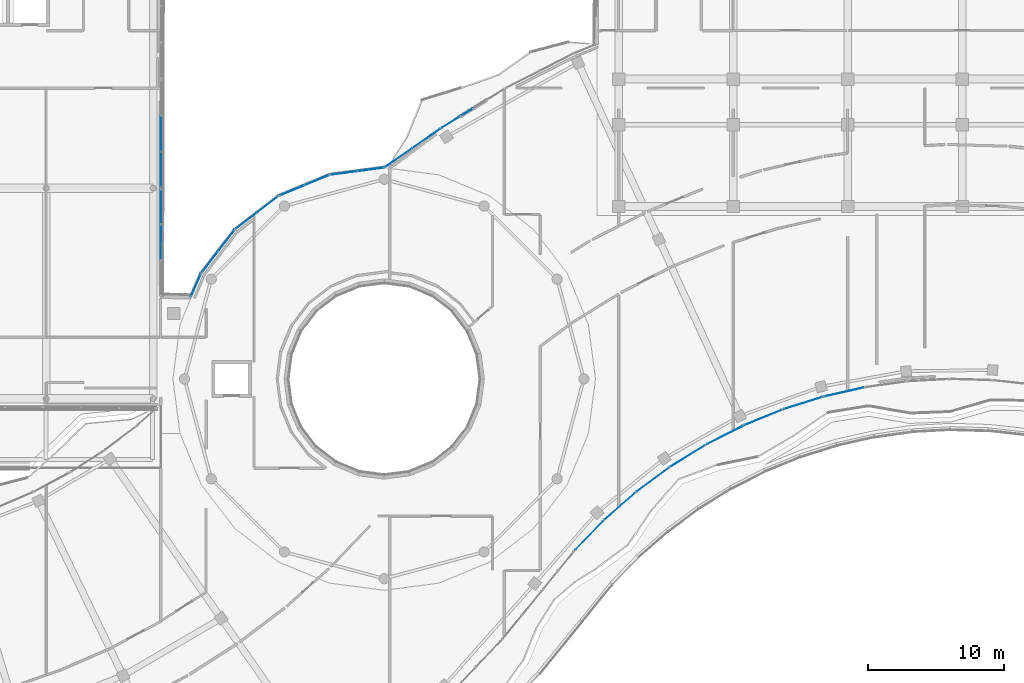
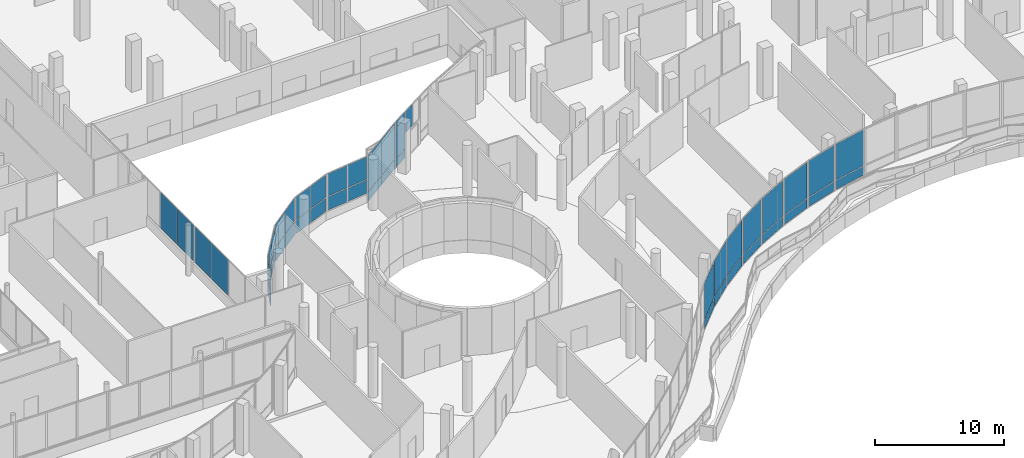
# One storey, part 130 of 168: 46 plates, 18 elements without a shape of their own.
"""IFC4 building model written with IfcOpenShell, lengths in metres."""

from ifc_helpers import new_model, si_unit, direction, frame, origin, origin_2d, place, context, subcontext, project, spatial, rectangle, extrude, material, layer, layer_set, type_object, element, aggregate, save


model = new_model("IFC4")

# Units and contexts
model_context = context("Model", 3, precision=1e-05, world=origin(), true_north=direction((0.0, 1.0)))
body_context = subcontext(model_context, "Body", "Model", "MODEL_VIEW")
ifc_project = project(units=[si_unit("LENGTHUNIT", "METRE"), si_unit("AREAUNIT", "SQUARE_METRE"), si_unit("VOLUMEUNIT", "CUBIC_METRE"), si_unit("PLANEANGLEUNIT", "RADIAN"), si_unit("MASSUNIT", "GRAM", prefix="KILO")], contexts=[model_context])

# Site, building, storey
site_placement = place(None, origin())
site = spatial("IfcSite", under=ifc_project, at=site_placement, CompositionType="ELEMENT")
building_placement = place(site_placement, origin())
building = spatial("IfcBuilding", under=site, at=building_placement, Name="Selatvlak General Hospital", CompositionType="ELEMENT")
storey_placement = place(building_placement, frame((0.0, 0.0, 5.39990234375)))
storey = spatial("IfcBuildingStorey", under=building, at=storey_placement, Name="L01", CompositionType="ELEMENT", Elevation=5.39990234375)

# Curtain wall, plates
ifc_material = material(Name="Solar-control Low-E double glazing", Category="glass")
curtain_wall_type_1 = type_object("IfcCurtainWallType", Name="CW-CW-01", PredefinedType="USERDEFINED", material=ifc_material)
curtain_wall_1_placement = place(storey_placement, origin())
curtain_wall_1 = element("IfcCurtainWall", 1, at=curtain_wall_1_placement, inside=storey, type_object=curtain_wall_type_1, Name="Glazed facade curtain wall CW-L01-0155", ObjectType="UNITISED CURTAIN WALL", PredefinedType="USERDEFINED")
ifc_layer = layer(ifc_material, 0.028076171875, Name="Solar-control Low-E double glazing", Category="glass")
ifc_layer_set = layer_set([ifc_layer], Name="Solar-control Low-E double glazing")
plate_type = type_object("IfcPlateType", Name="CWP-01", PredefinedType="CURTAIN_PANEL", material=ifc_layer_set)
plate_1_placement = place(storey_placement, frame((131.739990234375, 53.0458984375, 0.065185546875), z_axis=(0.0, 0.0, 1.0), x_axis=(-0.975577961684, -0.219653455874, 0.0)))
plate_1 = element("IfcPlate", 2, at=plate_1_placement, type_object=plate_type, Name="CW-01 panel 1.1", PredefinedType="CURTAIN_PANEL", context=body_context, shape_type="SweptSolid", body=[
    extrude(rectangle(XDim=2.902099609375, YDim=0.028076171875, at=origin_2d()), origin(), (0.0, 0.0, 1.0), 0.8525390625),
])
plate_2_placement = place(storey_placement, frame((131.739990234375, 53.0458984375, 0.982666015625), z_axis=(0.0, 0.0, 1.0), x_axis=(-0.975577961684, -0.219653455874, 0.0)))
plate_2 = element("IfcPlate", 3, at=plate_2_placement, type_object=plate_type, Name="CW-01 panel 1.2", PredefinedType="CURTAIN_PANEL", context=body_context, shape_type="SweptSolid", body=[
    extrude(rectangle(XDim=2.902099609375, YDim=0.028076171875, at=origin_2d()), origin(), (0.0, 0.0, 1.0), 3.3974609375),
])
aggregate(curtain_wall_1, [plate_1, plate_2])

curtain_wall_type_2 = type_object("IfcCurtainWallType", Name="CW-CW-02", PredefinedType="USERDEFINED", material=ifc_material)
curtain_wall_2_placement = place(storey_placement, origin())
curtain_wall_2 = element("IfcCurtainWall", 4, at=curtain_wall_2_placement, inside=storey, type_object=curtain_wall_type_2, Name="Glazed facade curtain wall CW-L01-0156", ObjectType="UNITISED CURTAIN WALL", PredefinedType="USERDEFINED")
plate_3_placement = place(storey_placement, frame((128.738525390625, 52.236083984375, 0.065185546875), z_axis=(0.0, 0.0, 1.0), x_axis=(-0.953861500511, -0.300246961422, 0.0)))
plate_3 = element("IfcPlate", 5, at=plate_3_placement, type_object=plate_type, Name="CW-02 panel 1.1", PredefinedType="CURTAIN_PANEL", context=body_context, shape_type="SweptSolid", body=[
    extrude(rectangle(XDim=2.90087890625, YDim=0.028076171875, at=origin_2d()), origin(), (0.0, 0.0, 1.0), 0.8525390625),
])
plate_4_placement = place(storey_placement, frame((128.738525390625, 52.236083984375, 0.982666015625), z_axis=(0.0, 0.0, 1.0), x_axis=(-0.953861500511, -0.300246961422, 0.0)))
plate_4 = element("IfcPlate", 6, at=plate_4_placement, type_object=plate_type, Name="CW-02 panel 1.2", PredefinedType="CURTAIN_PANEL", context=body_context, shape_type="SweptSolid", body=[
    extrude(rectangle(XDim=2.90087890625, YDim=0.028076171875, at=origin_2d()), origin(), (0.0, 0.0, 1.0), 3.3974609375),
])
aggregate(curtain_wall_2, [plate_3, plate_4])

curtain_wall_3_placement = place(storey_placement, origin())
curtain_wall_3 = element("IfcCurtainWall", 7, at=curtain_wall_3_placement, inside=storey, type_object=curtain_wall_type_1, Name="Glazed facade curtain wall CW-L01-0157", ObjectType="UNITISED CURTAIN WALL", PredefinedType="USERDEFINED")
plate_5_placement = place(storey_placement, frame((125.8154296875, 51.178955078125, 0.065185546875), z_axis=(0.0, 0.0, 1.0), x_axis=(-0.925814669594, -0.377977773903, 0.0)))
plate_5 = element("IfcPlate", 8, at=plate_5_placement, type_object=plate_type, Name="CW-01 panel 1.1", PredefinedType="CURTAIN_PANEL", context=body_context, shape_type="SweptSolid", body=[
    extrude(rectangle(XDim=2.90185546875, YDim=0.028076171875, at=origin_2d()), origin(), (0.0, 0.0, 1.0), 0.8525390625),
])
plate_6_placement = place(storey_placement, frame((125.8154296875, 51.178955078125, 0.982666015625), z_axis=(0.0, 0.0, 1.0), x_axis=(-0.925814669594, -0.377977773903, 0.0)))
plate_6 = element("IfcPlate", 9, at=plate_6_placement, type_object=plate_type, Name="CW-01 panel 1.2", PredefinedType="CURTAIN_PANEL", context=body_context, shape_type="SweptSolid", body=[
    extrude(rectangle(XDim=2.90185546875, YDim=0.028076171875, at=origin_2d()), origin(), (0.0, 0.0, 1.0), 3.3974609375),
])
aggregate(curtain_wall_3, [plate_5, plate_6])

curtain_wall_4_placement = place(storey_placement, origin())
curtain_wall_4 = element("IfcCurtainWall", 10, at=curtain_wall_4_placement, inside=storey, type_object=curtain_wall_type_2, Name="Glazed facade curtain wall CW-L01-0158", ObjectType="UNITISED CURTAIN WALL", PredefinedType="USERDEFINED")
plate_7_placement = place(storey_placement, frame((122.987548828125, 49.882568359375, 0.065185546875), z_axis=(0.0, 0.0, 1.0), x_axis=(-0.89144154077, -0.453135718509, 0.0)))
plate_7 = element("IfcPlate", 11, at=plate_7_placement, type_object=plate_type, Name="CW-02 panel 1.1", PredefinedType="CURTAIN_PANEL", context=body_context, shape_type="SweptSolid", body=[
    extrude(rectangle(XDim=2.904296875, YDim=0.028076171875, at=origin_2d()), origin(), (0.0, 0.0, 1.0), 0.8525390625),
])
plate_8_placement = place(storey_placement, frame((122.987548828125, 49.882568359375, 0.982666015625), z_axis=(0.0, 0.0, 1.0), x_axis=(-0.89144154077, -0.453135718509, 0.0)))
plate_8 = element("IfcPlate", 12, at=plate_8_placement, type_object=plate_type, Name="CW-02 panel 1.2", PredefinedType="CURTAIN_PANEL", context=body_context, shape_type="SweptSolid", body=[
    extrude(rectangle(XDim=2.904296875, YDim=0.028076171875, at=origin_2d()), origin(), (0.0, 0.0, 1.0), 3.3974609375),
])
aggregate(curtain_wall_4, [plate_7, plate_8])

curtain_wall_5_placement = place(storey_placement, origin())
curtain_wall_5 = element("IfcCurtainWall", 13, at=curtain_wall_5_placement, inside=storey, type_object=curtain_wall_type_1, Name="Glazed facade curtain wall CW-L01-0159", ObjectType="UNITISED CURTAIN WALL", PredefinedType="USERDEFINED")
plate_9_placement = place(storey_placement, frame((120.277587890625, 48.35693359375, 0.065185546875), z_axis=(0.0, 0.0, 1.0), x_axis=(-0.850454986641, -0.526047826435, 0.0)))
plate_9 = element("IfcPlate", 14, at=plate_9_placement, type_object=plate_type, Name="CW-01 panel 1.1", PredefinedType="CURTAIN_PANEL", context=body_context, shape_type="SweptSolid", body=[
    extrude(rectangle(XDim=2.900146484375, YDim=0.028076171875, at=origin_2d()), origin(), (0.0, 0.0, 1.0), 0.8525390625),
])
plate_10_placement = place(storey_placement, frame((120.277587890625, 48.35693359375, 0.982666015625), z_axis=(0.0, 0.0, 1.0), x_axis=(-0.850454986641, -0.526047826435, 0.0)))
plate_10 = element("IfcPlate", 15, at=plate_10_placement, type_object=plate_type, Name="CW-01 panel 1.2", PredefinedType="CURTAIN_PANEL", context=body_context, shape_type="SweptSolid", body=[
    extrude(rectangle(XDim=2.900146484375, YDim=0.028076171875, at=origin_2d()), origin(), (0.0, 0.0, 1.0), 3.3974609375),
])
aggregate(curtain_wall_5, [plate_9, plate_10])

curtain_wall_6_placement = place(storey_placement, origin())
curtain_wall_6 = element("IfcCurtainWall", 16, at=curtain_wall_6_placement, inside=storey, type_object=curtain_wall_type_2, Name="Glazed facade curtain wall CW-L01-0160", ObjectType="UNITISED CURTAIN WALL", PredefinedType="USERDEFINED")
plate_11_placement = place(storey_placement, frame((117.705078125, 46.611572265625, 0.065185546875), z_axis=(0.0, 0.0, 1.0), x_axis=(-0.804018477045, -0.594604312607, 0.0)))
plate_11 = element("IfcPlate", 17, at=plate_11_placement, type_object=plate_type, Name="CW-02 panel 1.1", PredefinedType="CURTAIN_PANEL", context=body_context, shape_type="SweptSolid", body=[
    extrude(rectangle(XDim=2.90234375, YDim=0.028076171875, at=origin_2d()), origin(), (0.0, 0.0, 1.0), 0.8525390625),
])
plate_12_placement = place(storey_placement, frame((117.705078125, 46.611572265625, 0.982666015625), z_axis=(0.0, 0.0, 1.0), x_axis=(-0.804018477045, -0.594604312607, 0.0)))
plate_12 = element("IfcPlate", 18, at=plate_12_placement, type_object=plate_type, Name="CW-02 panel 1.2", PredefinedType="CURTAIN_PANEL", context=body_context, shape_type="SweptSolid", body=[
    extrude(rectangle(XDim=2.90234375, YDim=0.028076171875, at=origin_2d()), origin(), (0.0, 0.0, 1.0), 3.3974609375),
])
aggregate(curtain_wall_6, [plate_11, plate_12])

curtain_wall_7_placement = place(storey_placement, origin())
curtain_wall_7 = element("IfcCurtainWall", 19, at=curtain_wall_7_placement, inside=storey, type_object=curtain_wall_type_1, Name="Glazed facade curtain wall CW-L01-0161", ObjectType="UNITISED CURTAIN WALL", PredefinedType="USERDEFINED")
plate_13_placement = place(storey_placement, frame((115.284912109375, 44.659423828125, 0.065185546875), z_axis=(0.0, 0.0, 1.0), x_axis=(-0.752249587647, -0.658878257256, 0.0)))
plate_13 = element("IfcPlate", 20, at=plate_13_placement, type_object=plate_type, Name="CW-01 panel 1.1", PredefinedType="CURTAIN_PANEL", context=body_context, shape_type="SweptSolid", body=[
    extrude(rectangle(XDim=2.90087890625, YDim=0.028076171875, at=origin_2d()), origin(), (0.0, 0.0, 1.0), 0.8525390625),
])
plate_14_placement = place(storey_placement, frame((115.284912109375, 44.659423828125, 0.982666015625), z_axis=(0.0, 0.0, 1.0), x_axis=(-0.752249587647, -0.658878257256, 0.0)))
plate_14 = element("IfcPlate", 21, at=plate_14_placement, type_object=plate_type, Name="CW-01 panel 1.2", PredefinedType="CURTAIN_PANEL", context=body_context, shape_type="SweptSolid", body=[
    extrude(rectangle(XDim=2.90087890625, YDim=0.028076171875, at=origin_2d()), origin(), (0.0, 0.0, 1.0), 3.3974609375),
])
aggregate(curtain_wall_7, [plate_13, plate_14])

curtain_wall_8_placement = place(storey_placement, origin())
curtain_wall_8 = element("IfcCurtainWall", 22, at=curtain_wall_8_placement, inside=storey, type_object=curtain_wall_type_2, Name="Glazed facade curtain wall CW-L01-0162", ObjectType="UNITISED CURTAIN WALL", PredefinedType="USERDEFINED")
plate_15_placement = place(storey_placement, frame((113.034912109375, 42.512939453125, 0.065185546875), z_axis=(0.0, 0.0, 1.0), x_axis=(-0.694806241805, -0.719196973261, 0.0)))
plate_15 = element("IfcPlate", 23, at=plate_15_placement, type_object=plate_type, Name="CW-02 panel 1.1", PredefinedType="CURTAIN_PANEL", context=body_context, shape_type="SweptSolid", body=[
    extrude(rectangle(XDim=2.904052734375, YDim=0.028076171875, at=origin_2d()), origin(), (0.0, 0.0, 1.0), 0.8525390625),
])
plate_16_placement = place(storey_placement, frame((113.034912109375, 42.512939453125, 0.982666015625), z_axis=(0.0, 0.0, 1.0), x_axis=(-0.694806241805, -0.719196973261, 0.0)))
plate_16 = element("IfcPlate", 24, at=plate_16_placement, type_object=plate_type, Name="CW-02 panel 1.2", PredefinedType="CURTAIN_PANEL", context=body_context, shape_type="SweptSolid", body=[
    extrude(rectangle(XDim=2.904052734375, YDim=0.028076171875, at=origin_2d()), origin(), (0.0, 0.0, 1.0), 3.3974609375),
])
aggregate(curtain_wall_8, [plate_15, plate_16])

curtain_wall_type_3 = type_object("IfcCurtainWallType", Name="CW-CW-04", PredefinedType="USERDEFINED", material=ifc_material)
curtain_wall_9_placement = place(storey_placement, origin())
curtain_wall_9 = element("IfcCurtainWall", 25, at=curtain_wall_9_placement, inside=storey, type_object=curtain_wall_type_3, Name="Glazed facade curtain wall CW-L01-0215", ObjectType="STICK GLAZING WALL", PredefinedType="USERDEFINED")
plate_17_placement = place(storey_placement, frame((84.194091796875, 60.87451171875, 0.9150390625), z_axis=(0.0, 0.0, 1.0), x_axis=(0.400399817754, 0.916340540379, 0.0)))
plate_17 = element("IfcPlate", 26, at=plate_17_placement, type_object=plate_type, Name="CW-04 panel 1.1", PredefinedType="CURTAIN_PANEL", context=body_context, shape_type="SweptSolid", body=[
    extrude(rectangle(XDim=1.748046875, YDim=0.028076171875, at=origin_2d()), origin(), (0.0, 0.0, 1.0), 1.275390625),
])
plate_18_placement = place(storey_placement, frame((84.194091796875, 60.87451171875, 2.255615234375), z_axis=(0.0, 0.0, 1.0), x_axis=(0.400399817754, 0.916340540379, 0.0)))
plate_18 = element("IfcPlate", 27, at=plate_18_placement, type_object=plate_type, Name="CW-04 panel 1.2", PredefinedType="CURTAIN_PANEL", context=body_context, shape_type="SweptSolid", body=[
    extrude(rectangle(XDim=1.748046875, YDim=0.028076171875, at=origin_2d()), origin(), (0.0, 0.0, 1.0), 2.12451171875),
])
aggregate(curtain_wall_9, [plate_17, plate_18])

curtain_wall_type_4 = type_object("IfcCurtainWallType", Name="CW-CW-05", PredefinedType="USERDEFINED", material=ifc_material)
curtain_wall_10_placement = place(storey_placement, origin())
curtain_wall_10 = element("IfcCurtainWall", 28, at=curtain_wall_10_placement, inside=storey, type_object=curtain_wall_type_4, Name="Glazed facade curtain wall CW-L01-0216", ObjectType="STICK GLAZING WALL", PredefinedType="USERDEFINED")
plate_19_placement = place(storey_placement, frame((85.228759765625, 62.600341796875, 0.9150390625), z_axis=(0.0, 0.0, 1.0), x_axis=(0.608918417743, 0.793232853917, 0.0)))
plate_19 = element("IfcPlate", 29, at=plate_19_placement, type_object=plate_type, Name="CW-05 panel 1.1", PredefinedType="CURTAIN_PANEL", context=body_context, shape_type="SweptSolid", body=[
    extrude(rectangle(XDim=1.885498046875, YDim=0.028076171875, at=origin_2d()), origin(), (0.0, 0.0, 1.0), 1.275390625),
])
plate_20_placement = place(storey_placement, frame((85.228759765625, 62.600341796875, 2.255615234375), z_axis=(0.0, 0.0, 1.0), x_axis=(0.608918417743, 0.793232853917, 0.0)))
plate_20 = element("IfcPlate", 30, at=plate_20_placement, type_object=plate_type, Name="CW-05 panel 1.2", PredefinedType="CURTAIN_PANEL", context=body_context, shape_type="SweptSolid", body=[
    extrude(rectangle(XDim=1.885498046875, YDim=0.028076171875, at=origin_2d()), origin(), (0.0, 0.0, 1.0), 2.12451171875),
])
plate_21_placement = place(storey_placement, frame((86.416259765625, 64.147705078125, 0.9150390625), z_axis=(0.0, 0.0, 1.0), x_axis=(0.608918417743, 0.793232853917, 0.0)))
plate_21 = element("IfcPlate", 31, at=plate_21_placement, type_object=plate_type, Name="CW-05 panel 2.1", PredefinedType="CURTAIN_PANEL", context=body_context, shape_type="SweptSolid", body=[
    extrude(rectangle(XDim=1.885498046875, YDim=0.028076171875, at=origin_2d()), origin(), (0.0, 0.0, 1.0), 1.275390625),
])
plate_22_placement = place(storey_placement, frame((86.416259765625, 64.147705078125, 2.255615234375), z_axis=(0.0, 0.0, 1.0), x_axis=(0.608918417743, 0.793232853917, 0.0)))
plate_22 = element("IfcPlate", 32, at=plate_22_placement, type_object=plate_type, Name="CW-05 panel 2.2", PredefinedType="CURTAIN_PANEL", context=body_context, shape_type="SweptSolid", body=[
    extrude(rectangle(XDim=1.885498046875, YDim=0.028076171875, at=origin_2d()), origin(), (0.0, 0.0, 1.0), 2.12451171875),
])
aggregate(curtain_wall_10, [plate_19, plate_20, plate_21, plate_22])

curtain_wall_11_placement = place(storey_placement, origin())
curtain_wall_11 = element("IfcCurtainWall", 33, at=curtain_wall_11_placement, inside=storey, type_object=curtain_wall_type_3, Name="Glazed facade curtain wall CW-L01-0217", ObjectType="STICK GLAZING WALL", PredefinedType="USERDEFINED")
plate_23_placement = place(storey_placement, frame((87.890380859375, 65.611572265625, 0.9150390625), z_axis=(0.0, 0.0, 1.0), x_axis=(0.793232853917, 0.608918417743, 0.0)))
plate_23 = element("IfcPlate", 34, at=plate_23_placement, type_object=plate_type, Name="CW-04 panel 1.1", PredefinedType="CURTAIN_PANEL", context=body_context, shape_type="SweptSolid", body=[
    extrude(rectangle(XDim=1.885498046875, YDim=0.028076171875, at=origin_2d()), origin(), (0.0, 0.0, 1.0), 1.275390625),
])
plate_24_placement = place(storey_placement, frame((87.890380859375, 65.611572265625, 2.255615234375), z_axis=(0.0, 0.0, 1.0), x_axis=(0.793232853917, 0.608918417743, 0.0)))
plate_24 = element("IfcPlate", 35, at=plate_24_placement, type_object=plate_type, Name="CW-04 panel 1.2", PredefinedType="CURTAIN_PANEL", context=body_context, shape_type="SweptSolid", body=[
    extrude(rectangle(XDim=1.885498046875, YDim=0.028076171875, at=origin_2d()), origin(), (0.0, 0.0, 1.0), 2.12451171875),
])
plate_25_placement = place(storey_placement, frame((89.4375, 66.79931640625, 0.9150390625), z_axis=(0.0, 0.0, 1.0), x_axis=(0.793232853917, 0.608918417743, 0.0)))
plate_25 = element("IfcPlate", 36, at=plate_25_placement, type_object=plate_type, Name="CW-04 panel 2.1", PredefinedType="CURTAIN_PANEL", context=body_context, shape_type="SweptSolid", body=[
    extrude(rectangle(XDim=1.885498046875, YDim=0.028076171875, at=origin_2d()), origin(), (0.0, 0.0, 1.0), 1.275390625),
])
plate_26_placement = place(storey_placement, frame((89.4375, 66.79931640625, 2.255615234375), z_axis=(0.0, 0.0, 1.0), x_axis=(0.793232853917, 0.608918417743, 0.0)))
plate_26 = element("IfcPlate", 37, at=plate_26_placement, type_object=plate_type, Name="CW-04 panel 2.2", PredefinedType="CURTAIN_PANEL", context=body_context, shape_type="SweptSolid", body=[
    extrude(rectangle(XDim=1.885498046875, YDim=0.028076171875, at=origin_2d()), origin(), (0.0, 0.0, 1.0), 2.12451171875),
])
aggregate(curtain_wall_11, [plate_23, plate_24, plate_25, plate_26])

curtain_wall_12_placement = place(storey_placement, origin())
curtain_wall_12 = element("IfcCurtainWall", 38, at=curtain_wall_12_placement, inside=storey, type_object=curtain_wall_type_4, Name="Glazed facade curtain wall CW-L01-0218", ObjectType="STICK GLAZING WALL", PredefinedType="USERDEFINED")
plate_27_placement = place(storey_placement, frame((91.239990234375, 67.832763671875, 0.9150390625), z_axis=(0.0, 0.0, 1.0), x_axis=(0.923850868847, 0.382752625243, 0.0)))
plate_27 = element("IfcPlate", 39, at=plate_27_placement, type_object=plate_type, Name="CW-05 panel 1.1", PredefinedType="CURTAIN_PANEL", context=body_context, shape_type="SweptSolid", body=[
    extrude(rectangle(XDim=1.885498046875, YDim=0.028076171875, at=origin_2d()), origin(), (0.0, 0.0, 1.0), 1.275390625),
])
plate_28_placement = place(storey_placement, frame((91.239990234375, 67.832763671875, 2.255615234375), z_axis=(0.0, 0.0, 1.0), x_axis=(0.923850868847, 0.382752625243, 0.0)))
plate_28 = element("IfcPlate", 40, at=plate_28_placement, type_object=plate_type, Name="CW-05 panel 1.2", PredefinedType="CURTAIN_PANEL", context=body_context, shape_type="SweptSolid", body=[
    extrude(rectangle(XDim=1.885498046875, YDim=0.028076171875, at=origin_2d()), origin(), (0.0, 0.0, 1.0), 2.12451171875),
])
plate_29_placement = place(storey_placement, frame((93.0419921875, 68.579345703125, 0.9150390625), z_axis=(0.0, 0.0, 1.0), x_axis=(0.923850868847, 0.382752625243, 0.0)))
plate_29 = element("IfcPlate", 41, at=plate_29_placement, type_object=plate_type, Name="CW-05 panel 2.1", PredefinedType="CURTAIN_PANEL", context=body_context, shape_type="SweptSolid", body=[
    extrude(rectangle(XDim=1.885498046875, YDim=0.028076171875, at=origin_2d()), origin(), (0.0, 0.0, 1.0), 1.275390625),
])
plate_30_placement = place(storey_placement, frame((93.0419921875, 68.579345703125, 2.255615234375), z_axis=(0.0, 0.0, 1.0), x_axis=(0.923850868847, 0.382752625243, 0.0)))
plate_30 = element("IfcPlate", 42, at=plate_30_placement, type_object=plate_type, Name="CW-05 panel 2.2", PredefinedType="CURTAIN_PANEL", context=body_context, shape_type="SweptSolid", body=[
    extrude(rectangle(XDim=1.885498046875, YDim=0.028076171875, at=origin_2d()), origin(), (0.0, 0.0, 1.0), 2.12451171875),
])
aggregate(curtain_wall_12, [plate_27, plate_28, plate_29, plate_30])

curtain_wall_13_placement = place(storey_placement, origin())
curtain_wall_13 = element("IfcCurtainWall", 43, at=curtain_wall_13_placement, inside=storey, type_object=curtain_wall_type_3, Name="Glazed facade curtain wall CW-L01-0219", ObjectType="STICK GLAZING WALL", PredefinedType="USERDEFINED")
plate_31_placement = place(storey_placement, frame((95.051025390625, 69.111572265625, 0.9150390625), z_axis=(0.0, 0.0, 1.0), x_axis=(0.991433685916, 0.130611050186, 0.0)))
plate_31 = element("IfcPlate", 44, at=plate_31_placement, type_object=plate_type, Name="CW-04 panel 1.1", PredefinedType="CURTAIN_PANEL", context=body_context, shape_type="SweptSolid", body=[
    extrude(rectangle(XDim=1.885498046875, YDim=0.028076171875, at=origin_2d()), origin(), (0.0, 0.0, 1.0), 1.275390625),
])
plate_32_placement = place(storey_placement, frame((95.051025390625, 69.111572265625, 2.255615234375), z_axis=(0.0, 0.0, 1.0), x_axis=(0.991433685916, 0.130611050186, 0.0)))
plate_32 = element("IfcPlate", 45, at=plate_32_placement, type_object=plate_type, Name="CW-04 panel 1.2", PredefinedType="CURTAIN_PANEL", context=body_context, shape_type="SweptSolid", body=[
    extrude(rectangle(XDim=1.885498046875, YDim=0.028076171875, at=origin_2d()), origin(), (0.0, 0.0, 1.0), 2.12451171875),
])
plate_33_placement = place(storey_placement, frame((96.98486328125, 69.366455078125, 0.9150390625), z_axis=(0.0, 0.0, 1.0), x_axis=(0.991433685916, 0.130611050186, 0.0)))
plate_33 = element("IfcPlate", 46, at=plate_33_placement, type_object=plate_type, Name="CW-04 panel 2.1", PredefinedType="CURTAIN_PANEL", context=body_context, shape_type="SweptSolid", body=[
    extrude(rectangle(XDim=1.885498046875, YDim=0.028076171875, at=origin_2d()), origin(), (0.0, 0.0, 1.0), 1.275390625),
])
plate_34_placement = place(storey_placement, frame((96.98486328125, 69.366455078125, 2.255615234375), z_axis=(0.0, 0.0, 1.0), x_axis=(0.991433685916, 0.130611050186, 0.0)))
plate_34 = element("IfcPlate", 47, at=plate_34_placement, type_object=plate_type, Name="CW-04 panel 2.2", PredefinedType="CURTAIN_PANEL", context=body_context, shape_type="SweptSolid", body=[
    extrude(rectangle(XDim=1.885498046875, YDim=0.028076171875, at=origin_2d()), origin(), (0.0, 0.0, 1.0), 2.12451171875),
])
aggregate(curtain_wall_13, [plate_31, plate_32, plate_33, plate_34])

curtain_wall_14_placement = place(storey_placement, origin())
curtain_wall_14 = element("IfcCurtainWall", 48, at=curtain_wall_14_placement, inside=storey, type_object=curtain_wall_type_2, Name="Glazed facade curtain wall CW-L01-0220", ObjectType="UNITISED CURTAIN WALL", PredefinedType="USERDEFINED")
plate_35_placement = place(storey_placement, frame((99.056396484375, 70.236328125, 0.065185546875), z_axis=(0.0, 0.0, 1.0), x_axis=(0.820872775723, 0.571111097841, 0.0)))
plate_35 = element("IfcPlate", 49, at=plate_35_placement, type_object=plate_type, Name="CW-02 panel 1.1", PredefinedType="CURTAIN_PANEL", context=body_context, shape_type="SweptSolid", body=[
    extrude(rectangle(XDim=2.4169921875, YDim=0.028076171875, at=origin_2d()), origin(), (0.0, 0.0, 1.0), 0.8525390625),
])
plate_36_placement = place(storey_placement, frame((99.056396484375, 70.236328125, 0.982666015625), z_axis=(0.0, 0.0, 1.0), x_axis=(0.820872775723, 0.571111097841, 0.0)))
plate_36 = element("IfcPlate", 50, at=plate_36_placement, type_object=plate_type, Name="CW-02 panel 1.2", PredefinedType="CURTAIN_PANEL", context=body_context, shape_type="SweptSolid", body=[
    extrude(rectangle(XDim=2.4169921875, YDim=0.028076171875, at=origin_2d()), origin(), (0.0, 0.0, 1.0), 3.3974609375),
])
plate_37_placement = place(storey_placement, frame((101.09375, 71.65380859375, 0.065185546875), z_axis=(0.0, 0.0, 1.0), x_axis=(0.820872775723, 0.571111097841, 0.0)))
plate_37 = element("IfcPlate", 51, at=plate_37_placement, type_object=plate_type, Name="CW-02 panel 2.1", PredefinedType="CURTAIN_PANEL", context=body_context, shape_type="SweptSolid", body=[
    extrude(rectangle(XDim=2.4169921875, YDim=0.028076171875, at=origin_2d()), origin(), (0.0, 0.0, 1.0), 0.8525390625),
])
plate_38_placement = place(storey_placement, frame((101.09375, 71.65380859375, 0.982666015625), z_axis=(0.0, 0.0, 1.0), x_axis=(0.820872775723, 0.571111097841, 0.0)))
plate_38 = element("IfcPlate", 52, at=plate_38_placement, type_object=plate_type, Name="CW-02 panel 2.2", PredefinedType="CURTAIN_PANEL", context=body_context, shape_type="SweptSolid", body=[
    extrude(rectangle(XDim=2.4169921875, YDim=0.028076171875, at=origin_2d()), origin(), (0.0, 0.0, 1.0), 3.3974609375),
])
aggregate(curtain_wall_14, [plate_35, plate_36, plate_37, plate_38])

# Curtain wall, plate
curtain_wall_15_placement = place(storey_placement, origin())
curtain_wall_15 = element("IfcCurtainWall", 53, at=curtain_wall_15_placement, inside=storey, type_object=curtain_wall_type_2, Name="Glazed facade curtain wall CW-L01-0221", ObjectType="UNITISED CURTAIN WALL", PredefinedType="USERDEFINED")
plate_39_placement = place(storey_placement, frame((104.0654296875, 73.572998046875, 2.385009765625), z_axis=(0.0, 0.0, 1.0), x_axis=(0.850415359562, 0.526111885649, 0.0)))
plate_39 = element("IfcPlate", 54, at=plate_39_placement, type_object=plate_type, Name="CW-02 panel 1.1", PredefinedType="CURTAIN_PANEL", context=body_context, shape_type="SweptSolid", body=[
    extrude(rectangle(XDim=1.037353515625, YDim=0.028076171875, at=origin_2d()), origin(), (0.0, 0.0, 1.0), 1.9951171875),
])
aggregate(curtain_wall_15, [plate_39])

# Curtain wall, plates
curtain_wall_16_placement = place(storey_placement, origin())
curtain_wall_16 = element("IfcCurtainWall", 55, at=curtain_wall_16_placement, inside=storey, type_object=curtain_wall_type_1, Name="Glazed facade curtain wall CW-L01-0222", ObjectType="UNITISED CURTAIN WALL", PredefinedType="USERDEFINED")
plate_40_placement = place(storey_placement, frame((102.875, 72.8369140625, 0.06494140625), z_axis=(0.0, 0.0, 1.0), x_axis=(0.850563504569, 0.525872346387, 0.0)))
plate_40 = element("IfcPlate", 56, at=plate_40_placement, type_object=plate_type, Name="CW-01 panel 1.1", PredefinedType="CURTAIN_PANEL", context=body_context, shape_type="SweptSolid", body=[
    extrude(rectangle(XDim=1.440673828125, YDim=0.028076171875, at=origin_2d()), origin(), (0.0, 0.0, 1.0), 0.802490234375),
])
plate_41_placement = place(storey_placement, frame((102.875, 72.8369140625, 0.9326171875), z_axis=(0.0, 0.0, 1.0), x_axis=(0.850563504569, 0.525872346387, 0.0)))
plate_41 = element("IfcPlate", 57, at=plate_41_placement, type_object=plate_type, Name="CW-01 panel 1.2", PredefinedType="CURTAIN_PANEL", context=body_context, shape_type="SweptSolid", body=[
    extrude(rectangle(XDim=1.440673828125, YDim=0.028076171875, at=origin_2d()), origin(), (0.0, 0.0, 1.0), 2.830078125),
])
plate_42_placement = place(storey_placement, frame((102.875, 72.8369140625, 3.82763671875), z_axis=(0.0, 0.0, 1.0), x_axis=(0.850563504569, 0.525872346387, 0.0)))
plate_42 = element("IfcPlate", 58, at=plate_42_placement, type_object=plate_type, Name="CW-01 panel 1.3", PredefinedType="CURTAIN_PANEL", context=body_context, shape_type="SweptSolid", body=[
    extrude(rectangle(XDim=1.440673828125, YDim=0.028076171875, at=origin_2d()), origin(), (0.0, 0.0, 1.0), 0.552490234375),
])
aggregate(curtain_wall_16, [plate_40, plate_41, plate_42])

curtain_wall_17_placement = place(storey_placement, origin())
curtain_wall_17 = element("IfcCurtainWall", 59, at=curtain_wall_17_placement, inside=storey, type_object=curtain_wall_type_2, Name="Glazed facade curtain wall CW-L01-0227", ObjectType="UNITISED CURTAIN WALL", PredefinedType="USERDEFINED")
plate_43_placement = place(storey_placement, frame((81.6298828125, 72.0048828125, 1.005126953125), z_axis=(0.0, 0.0, 1.0), x_axis=(-0.002531637448, -0.999996795401, 0.0)))
plate_43 = element("IfcPlate", 60, at=plate_43_placement, type_object=plate_type, Name="CW-02 panel 2.1", PredefinedType="CURTAIN_PANEL", context=body_context, shape_type="SweptSolid", body=[
    extrude(rectangle(XDim=2.568359375, YDim=0.028076171875, at=origin_2d()), origin(), (0.0, 0.0, 1.0), 3.375),
])
plate_44_placement = place(storey_placement, frame((81.623291015625, 69.387939453125, 1.005126953125), z_axis=(0.0, 0.0, 1.0), x_axis=(-0.002531637448, -0.999996795401, 0.0)))
plate_44 = element("IfcPlate", 61, at=plate_44_placement, type_object=plate_type, Name="CW-02 panel 3.1", PredefinedType="CURTAIN_PANEL", context=body_context, shape_type="SweptSolid", body=[
    extrude(rectangle(XDim=2.535888671875, YDim=0.028076171875, at=origin_2d()), origin(), (0.0, 0.0, 1.0), 3.375),
])
aggregate(curtain_wall_17, [plate_43, plate_44])

curtain_wall_18_placement = place(storey_placement, origin())
curtain_wall_18 = element("IfcCurtainWall", 62, at=curtain_wall_18_placement, inside=storey, type_object=curtain_wall_type_1, Name="Glazed facade curtain wall CW-L01-0228", ObjectType="UNITISED CURTAIN WALL", PredefinedType="USERDEFINED")
plate_45_placement = place(storey_placement, frame((81.61669921875, 66.64208984375, 1.005126953125), z_axis=(0.0, 0.0, 1.0), x_axis=(-0.002531637448, -0.999996795401, 0.0)))
plate_45 = element("IfcPlate", 63, at=plate_45_placement, type_object=plate_type, Name="CW-01 panel 1.1", PredefinedType="CURTAIN_PANEL", context=body_context, shape_type="SweptSolid", body=[
    extrude(rectangle(XDim=2.535888671875, YDim=0.028076171875, at=origin_2d()), origin(), (0.0, 0.0, 1.0), 3.375),
])
plate_46_placement = place(storey_placement, frame((81.610107421875, 64.02490234375, 1.005126953125), z_axis=(0.0, 0.0, 1.0), x_axis=(-0.002531637448, -0.999996795401, 0.0)))
plate_46 = element("IfcPlate", 64, at=plate_46_placement, type_object=plate_type, Name="CW-01 panel 2.1", PredefinedType="CURTAIN_PANEL", context=body_context, shape_type="SweptSolid", body=[
    extrude(rectangle(XDim=2.568359375, YDim=0.028076171875, at=origin_2d()), origin(), (0.0, 0.0, 1.0), 3.375),
])
aggregate(curtain_wall_18, [plate_45, plate_46])

save(model, "model.ifc")
